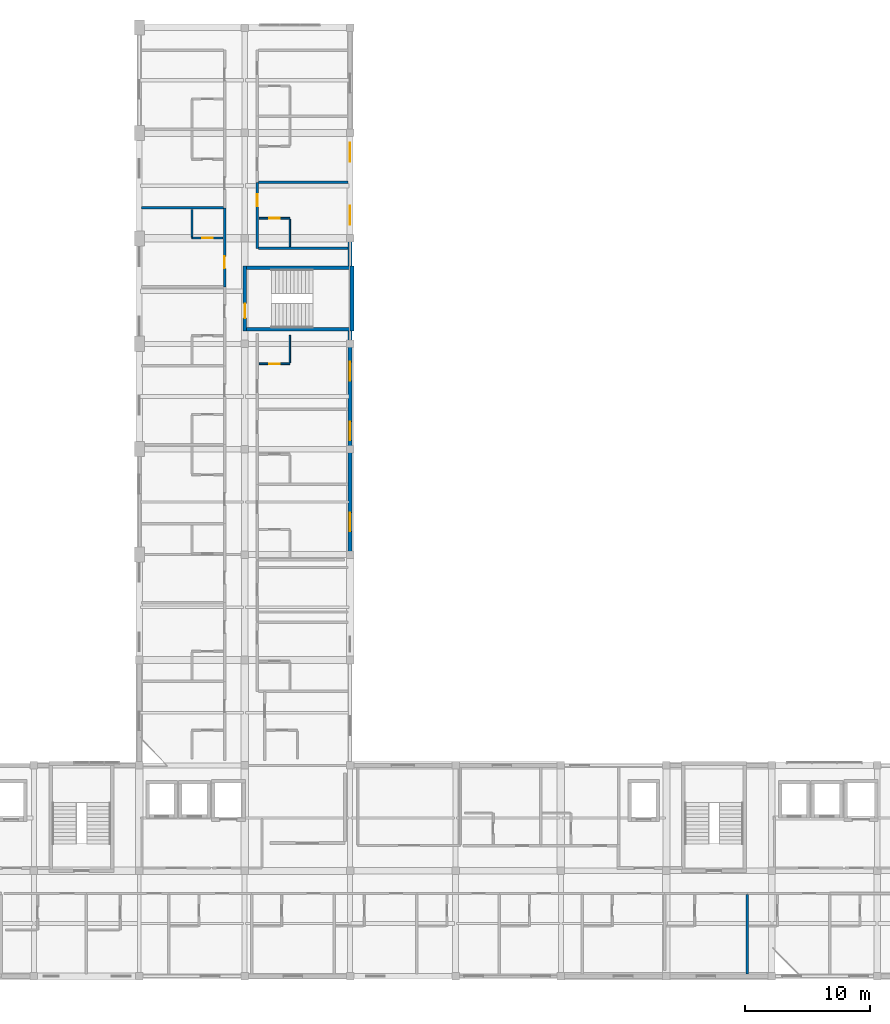
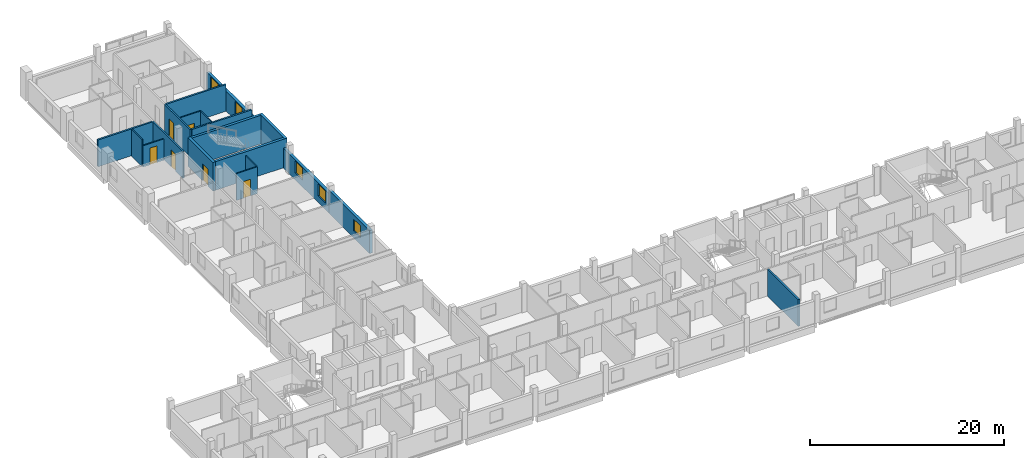
# One storey, part 16 of 24: 19 walls, 6 doors, 5 windows, 11 openings.
"""IFC4 building model written with IfcOpenShell, lengths in metres."""

from ifc_helpers import new_model, si_unit, derived_unit, direction, frame, frame_2d, origin, place, context, subcontext, project, spatial, rectangle, extrude, material, layer, layer_set, type_object, element, fill, save


model = new_model("IFC4")

# Units and contexts
model_context = context("Model", 3, precision=1e-05, world=origin(), true_north=direction((0.0, 1.0)))
body_context = subcontext(model_context, "Body", "Model", "MODEL_VIEW")
ifc_project = project(units=[si_unit("LENGTHUNIT", "METRE"), si_unit("AREAUNIT", "SQUARE_METRE"), si_unit("VOLUMEUNIT", "CUBIC_METRE"), si_unit("PLANEANGLEUNIT", "RADIAN"), si_unit("MASSUNIT", "GRAM", prefix="KILO"), derived_unit("THERMALTRANSMITTANCEUNIT", [(si_unit("POWERUNIT", "WATT"), 1), (si_unit("LENGTHUNIT", "METRE"), -2), (si_unit("THERMODYNAMICTEMPERATUREUNIT", "KELVIN"), -1)])], contexts=[model_context])

# Site, building, storey
site_placement = place(None, origin())
site = spatial("IfcSite", under=ifc_project, at=site_placement, CompositionType="ELEMENT")
building_placement = place(site_placement, origin())
building = spatial("IfcBuilding", under=site, at=building_placement, Name="Barrovel Congress Hotel", CompositionType="ELEMENT")
storey_placement = place(building_placement, frame((0.0, 0.0, 29.10009765625)))
storey = spatial("IfcBuildingStorey", under=building, at=storey_placement, Name="L07", CompositionType="ELEMENT", Elevation=29.10009765625)

# Wall, openings, windows
ifc_material_1 = material(Name="Fired Clay Brick Masonry", Category="masonry")
ifc_layer_1 = layer(ifc_material_1, 0.340087890625)
ifc_layer_set_1 = layer_set([ifc_layer_1], Name="Fired Clay Brick Masonry")
wall_type_1 = type_object("IfcWallType", Name="EW-BRK340", PredefinedType="STANDARD", material=ifc_layer_set_1)
wall_1_placement = place(storey_placement, frame((50.39990234375, 60.800048828125, 0.0), z_axis=(0.0, 0.0, 1.0), x_axis=(0.0, 1.0, 0.0)))
wall_1 = element("IfcWall", 1, at=wall_1_placement, inside=storey, type_object=wall_type_1, Name="EW:L07:HW-E-2", PredefinedType="STANDARD", context=body_context, shape_type="SweptSolid", body=[
    extrude(rectangle(XDim=10.599853515625, YDim=0.340087890625, at=frame_2d((5.2998046875, 0.0))), origin(), (0.0, 0.0, 1.0), 2.47998046875),
])
opening_1_placement = place(wall_1_placement, frame((3.283203125, 0.0, 0.85009765625)))
opening_1 = element("IfcOpeningElement", 2, at=opening_1_placement, cuts=wall_1, Name="Opening WN-07", PredefinedType="OPENING", context=body_context, shape_type="SweptSolid", body=[
    extrude(rectangle(XDim=1.5, YDim=1.5, at=frame_2d((0.75, 0.75))), frame((0.0, 0.18017578125, 0.0), z_axis=(0.0, -1.0, 0.0), x_axis=(1.0, 0.0, 0.0)), (0.0, 0.0, 1.0), 0.360107421875),
])
opening_2_placement = place(wall_1_placement, frame((8.300048828125, 0.0, 0.85009765625)))
opening_2 = element("IfcOpeningElement", 3, at=opening_2_placement, cuts=wall_1, Name="Opening WN-07", PredefinedType="OPENING", context=body_context, shape_type="SweptSolid", body=[
    extrude(rectangle(XDim=1.5, YDim=1.5, at=frame_2d((0.75, 0.75))), frame((0.0, 0.18017578125, 0.0), z_axis=(0.0, -1.0, 0.0), x_axis=(1.0, 0.0, 0.0)), (0.0, 0.0, 1.0), 0.360107421875),
])
ifc_material_2 = material(Name="Double Low-E Insulated Glazing", Category="glass")
window_type = type_object("IfcWindowType", Name="WIN-WN-07", PartitioningType="SINGLE_PANEL", PredefinedType="WINDOW", material=ifc_material_2)
window_1_placement = place(opening_1_placement, origin())
window_1 = element("IfcWindow", 4, at=window_1_placement, inside=storey, type_object=window_type, Name="WIN:L07:U42", OverallHeight=1.5, OverallWidth=1.5, PartitioningType="SINGLE_PANEL", PredefinedType="WINDOW", context=body_context, shape_type="SweptSolid", body=[
    extrude(rectangle(XDim=1.5, YDim=1.5, at=frame_2d((0.75, 0.75))), frame((0.0, 0.030029296875, 0.0), z_axis=(0.0, -1.0, 0.0), x_axis=(1.0, 0.0, 0.0)), (0.0, 0.0, 1.0), 0.06005859375),
])
fill(opening_1, window_1)
window_2_placement = place(opening_2_placement, origin())
window_2 = element("IfcWindow", 5, at=window_2_placement, inside=storey, type_object=window_type, Name="WIN:L07:U43", OverallHeight=1.5, OverallWidth=1.5, PartitioningType="SINGLE_PANEL", PredefinedType="WINDOW", context=body_context, shape_type="SweptSolid", body=[
    extrude(rectangle(XDim=1.5, YDim=1.5, at=frame_2d((0.75, 0.75))), frame((0.0, 0.030029296875, 0.0), z_axis=(0.0, -1.0, 0.0), x_axis=(1.0, 0.0, 0.0)), (0.0, 0.0, 1.0), 0.06005859375),
])
fill(opening_2, window_2)

# Wall, opening, window
wall_2_placement = place(storey_placement, frame((50.39990234375, 37.800048828125, 0.0), z_axis=(0.0, 0.0, 1.0), x_axis=(0.0, 1.0, 0.0)))
wall_2 = element("IfcWall", 6, at=wall_2_placement, inside=storey, type_object=wall_type_1, Name="EW:L07:HW-E-1:P02", PredefinedType="STANDARD", context=body_context, shape_type="SweptSolid", body=[
    extrude(rectangle(XDim=8.39990234375, YDim=0.340087890625, at=frame_2d((4.199951171875, 0.0))), origin(), (0.0, 0.0, 1.0), 2.8798828125),
])
opening_3_placement = place(wall_2_placement, frame((1.85009765625, 0.0, 0.85009765625)))
opening_3 = element("IfcOpeningElement", 7, at=opening_3_placement, cuts=wall_2, Name="Opening WN-07", PredefinedType="OPENING", context=body_context, shape_type="SweptSolid", body=[
    extrude(rectangle(XDim=1.5, YDim=1.5, at=frame_2d((0.75, 0.75))), frame((0.0, 0.18017578125, 0.0), z_axis=(0.0, -1.0, 0.0), x_axis=(1.0, 0.0, 0.0)), (0.0, 0.0, 1.0), 0.360107421875),
])
window_3_placement = place(opening_3_placement, origin())
window_3 = element("IfcWindow", 8, at=window_3_placement, inside=storey, type_object=window_type, Name="WIN:L07:U39", OverallHeight=1.5, OverallWidth=1.5, PartitioningType="SINGLE_PANEL", PredefinedType="WINDOW", context=body_context, shape_type="SweptSolid", body=[
    extrude(rectangle(XDim=1.5, YDim=1.5, at=frame_2d((0.75, 0.75))), frame((0.0, 0.030029296875, 0.0), z_axis=(0.0, -1.0, 0.0), x_axis=(1.0, 0.0, 0.0)), (0.0, 0.0, 1.0), 0.06005859375),
])
fill(opening_3, window_3)

# Wall, openings, windows
wall_3_placement = place(storey_placement, frame((50.39990234375, 46.199951171875, 0.0), z_axis=(0.0, 0.0, 1.0), x_axis=(0.0, 1.0, 0.0)))
wall_3 = element("IfcWall", 9, at=wall_3_placement, inside=storey, type_object=wall_type_1, Name="EW:L07:HW-E-1:P03", PredefinedType="STANDARD", context=body_context, shape_type="SweptSolid", body=[
    extrude(rectangle(XDim=9.400146484375, YDim=0.340087890625, at=frame_2d((4.7001953125, 0.0))), origin(), (0.0, 0.0, 1.0), 2.47998046875),
])
opening_4_placement = place(wall_3_placement, frame((0.699951171875, 0.0, 0.85009765625)))
opening_4 = element("IfcOpeningElement", 10, at=opening_4_placement, cuts=wall_3, Name="Opening WN-07", PredefinedType="OPENING", context=body_context, shape_type="SweptSolid", body=[
    extrude(rectangle(XDim=1.5, YDim=1.5, at=frame_2d((0.75, 0.75))), frame((0.0, 0.18017578125, 0.0), z_axis=(0.0, -1.0, 0.0), x_axis=(1.0, 0.0, 0.0)), (0.0, 0.0, 1.0), 0.360107421875),
])
opening_5_placement = place(wall_3_placement, frame((5.449951171875, 0.0, 0.85009765625)))
opening_5 = element("IfcOpeningElement", 11, at=opening_5_placement, cuts=wall_3, Name="Opening WN-07", PredefinedType="OPENING", context=body_context, shape_type="SweptSolid", body=[
    extrude(rectangle(XDim=1.5, YDim=1.5, at=frame_2d((0.75, 0.75))), frame((0.0, 0.18017578125, 0.0), z_axis=(0.0, -1.0, 0.0), x_axis=(1.0, 0.0, 0.0)), (0.0, 0.0, 1.0), 0.360107421875),
])
window_4_placement = place(opening_4_placement, origin())
window_4 = element("IfcWindow", 12, at=window_4_placement, inside=storey, type_object=window_type, Name="WIN:L07:U40", OverallHeight=1.5, OverallWidth=1.5, PartitioningType="SINGLE_PANEL", PredefinedType="WINDOW", context=body_context, shape_type="SweptSolid", body=[
    extrude(rectangle(XDim=1.5, YDim=1.5, at=frame_2d((0.75, 0.75))), frame((0.0, 0.030029296875, 0.0), z_axis=(0.0, -1.0, 0.0), x_axis=(1.0, 0.0, 0.0)), (0.0, 0.0, 1.0), 0.06005859375),
])
fill(opening_4, window_4)
window_5_placement = place(opening_5_placement, origin())
window_5 = element("IfcWindow", 13, at=window_5_placement, inside=storey, type_object=window_type, Name="WIN:L07:U41", OverallHeight=1.5, OverallWidth=1.5, PartitioningType="SINGLE_PANEL", PredefinedType="WINDOW", context=body_context, shape_type="SweptSolid", body=[
    extrude(rectangle(XDim=1.5, YDim=1.5, at=frame_2d((0.75, 0.75))), frame((0.0, 0.030029296875, 0.0), z_axis=(0.0, -1.0, 0.0), x_axis=(1.0, 0.0, 0.0)), (0.0, 0.0, 1.0), 0.06005859375),
])
fill(opening_5, window_5)

# Wall, opening, door
ifc_material_3 = material(Name="Gypsum Acoustic Stud", Category="gypsum")
ifc_layer_2 = layer(ifc_material_3, 0.179931640625)
ifc_layer_set_2 = layer_set([ifc_layer_2], Name="Gypsum Acoustic Stud")
wall_type_2 = type_object("IfcWallType", Name="PW-ACU-180", PredefinedType="PARTITIONING", material=ifc_layer_set_2)
wall_4_placement = place(storey_placement, frame((40.39990234375, 59.13330078125, 0.0), z_axis=(0.0, 0.0, 1.0), x_axis=(0.0, 1.0, 0.0)))
wall_4 = element("IfcWall", 14, at=wall_4_placement, inside=storey, type_object=wall_type_2, Name="PW:L07:U34:COR", PredefinedType="PARTITIONING", context=body_context, shape_type="SweptSolid", body=[
    extrude(rectangle(XDim=6.288818359375, YDim=0.179931640625, at=frame_2d((3.14453125, 0.0))), origin(), (0.0, 0.0, 1.0), 3.375),
])
opening_6_placement = place(wall_4_placement, frame((1.4794921875, 0.0, 0.0)))
opening_6 = element("IfcOpeningElement", 15, at=opening_6_placement, cuts=wall_4, Name="Opening ID-HTL", PredefinedType="OPENING", context=body_context, shape_type="SweptSolid", body=[
    extrude(rectangle(XDim=0.9599609375, YDim=2.14990234375, at=frame_2d((0.47998046875, 1.074951171875))), frame((0.0, 0.10009765625, 0.0), z_axis=(0.0, -1.0, 0.0), x_axis=(1.0, 0.0, 0.0)), (0.0, 0.0, 1.0), 0.199951171875),
])
ifc_material_4 = material(Name="Solid Oak Acoustic Timber Door", Category="wood")
door_type_1 = type_object("IfcDoorType", Name="IDR-ID-HTL", OperationType="NOTDEFINED", PredefinedType="DOOR", material=ifc_material_4)
door_1_placement = place(opening_6_placement, origin())
door_1 = element("IfcDoor", 16, at=door_1_placement, inside=storey, type_object=door_type_1, Name="DR:L07:U34:ENT", OperationType="SINGLE_SWING_RIGHT", OverallHeight=2.14990234375, OverallWidth=0.9599609375, PredefinedType="DOOR", context=body_context, shape_type="SweptSolid", body=[
    extrude(rectangle(XDim=0.9599609375, YDim=2.14990234375, at=frame_2d((0.47998046875, 1.074951171875))), frame((0.0, 0.02490234375, 0.0), z_axis=(0.0, -1.0, 0.0), x_axis=(1.0, 0.0, 0.0)), (0.0, 0.0, 1.0), 0.050048828125),
])
fill(opening_6, door_1)

wall_5_placement = place(storey_placement, frame((43.0, 62.199951171875, 0.0), z_axis=(0.0, 0.0, 1.0), x_axis=(0.0, 1.0, 0.0)))
wall_5 = element("IfcWall", 17, at=wall_5_placement, inside=storey, type_object=wall_type_2, Name="PW:L07:U42:COR", PredefinedType="PARTITIONING", context=body_context, shape_type="SweptSolid", body=[
    extrude(rectangle(XDim=5.266845703125, YDim=0.179931640625, at=frame_2d((2.63330078125, 0.0))), origin(), (0.0, 0.0, 1.0), 3.375),
])
opening_7_placement = place(wall_5_placement, frame((3.33837890625, 0.0, 0.0)))
opening_7 = element("IfcOpeningElement", 18, at=opening_7_placement, cuts=wall_5, Name="Opening ID-HTL", PredefinedType="OPENING", context=body_context, shape_type="SweptSolid", body=[
    extrude(rectangle(XDim=0.9599609375, YDim=2.14990234375, at=frame_2d((0.47998046875, 1.074951171875))), frame((0.0, 0.10009765625, 0.0), z_axis=(0.0, -1.0, 0.0), x_axis=(1.0, 0.0, 0.0)), (0.0, 0.0, 1.0), 0.199951171875),
])
door_2_placement = place(opening_7_placement, origin())
door_2 = element("IfcDoor", 19, at=door_2_placement, inside=storey, type_object=door_type_1, Name="DR:L07:U42:ENT", OperationType="SINGLE_SWING_RIGHT", OverallHeight=2.14990234375, OverallWidth=0.9599609375, PredefinedType="DOOR", context=body_context, shape_type="SweptSolid", body=[
    extrude(rectangle(XDim=0.9599609375, YDim=2.14990234375, at=frame_2d((0.47998046875, 1.074951171875))), frame((0.0, 0.02490234375, 0.0), z_axis=(0.0, -1.0, 0.0), x_axis=(1.0, 0.0, 0.0)), (0.0, 0.0, 1.0), 0.050048828125),
])
fill(opening_7, door_2)

# Walls
ifc_layer_3 = layer(ifc_material_3, 0.1201171875)
ifc_layer_set_3 = layer_set([ifc_layer_3], Name="Gypsum Acoustic Stud")
wall_type_3 = type_object("IfcWallType", Name="PW-INT-120", PredefinedType="PARTITIONING", material=ifc_layer_set_3)
for number, where, z_axis, x_axis, name in (
    (20, (37.800048828125, 63.09228515625, 0.0), (0.0, 0.0, 1.0), (0.0, 1.0, 0.0), "PW:L07:U34:B2"),
    (21, (45.60009765625, 53.070068359375, 0.0), (0.0, 0.0, 1.0), (0.0, 1.0, 0.0), "PW:L07:U41:B2"),
    (22, (45.60009765625, 62.340087890625, 0.0), (0.0, 0.0, 1.0), (0.0, 1.0, 0.0), "PW:L07:U42:B2"),
):
    element("IfcWall", number, at=place(storey_placement, frame(where, z_axis=z_axis, x_axis=x_axis)), inside=storey, type_object=wall_type_3, Name=name, PredefinedType="PARTITIONING", context=body_context, shape_type="SweptSolid", body=[
        extrude(rectangle(XDim=2.18994140625, YDim=0.1201171875, at=frame_2d((1.094970703125, 0.0))), origin(), (0.0, 0.0, 1.0), 3.375),
    ])
ifc_layer_4 = layer(ifc_material_1, 0.199951171875)
ifc_layer_set_4 = layer_set([ifc_layer_4], Name="Fired Clay Brick Masonry")
wall_type_4 = type_object("IfcWallType", Name="PW-MAS-200", PredefinedType="PARTITIONING", material=ifc_layer_set_4)
wall_6_placement = place(storey_placement, frame((82.050048828125, 4.3701171875, 0.0), z_axis=(0.0, 0.0, 1.0), x_axis=(0.0, 1.0, 0.0)))
element("IfcWall", 23, at=wall_6_placement, inside=storey, type_object=wall_type_4, Name="PW:L07:U10:DEM", PredefinedType="PARTITIONING", context=body_context, shape_type="SweptSolid", body=[
    extrude(rectangle(XDim=6.33984375, YDim=0.199951171875, at=frame_2d((3.169921875, 0.0))), origin(), (0.0, 0.0, 1.0), 3.375),
])
wall_7_placement = place(storey_placement, frame((33.77001953125, 65.422119140625, 0.0), z_axis=(0.0, 0.0, 1.0), x_axis=(1.0, 0.0, 0.0)))
element("IfcWall", 24, at=wall_7_placement, inside=storey, type_object=wall_type_4, Name="PW:L07:U34:DEM", PredefinedType="PARTITIONING", context=body_context, shape_type="SweptSolid", body=[
    extrude(rectangle(XDim=6.5400390625, YDim=0.199951171875, at=frame_2d((3.27001953125, 0.0))), origin(), (0.0, 0.0, 1.0), 3.375),
])
for number, where, z_axis, x_axis, name in (
    (25, (43.090087890625, 62.199951171875, 0.0), (0.0, 0.0, 1.0), (1.0, 0.0, 0.0), "PW:L07:U42:DEM0"),
    (26, (43.090087890625, 67.466796875, 0.0), (0.0, 0.0, 1.0), (1.0, 0.0, 0.0), "PW:L07:U42:DEM"),
):
    element("IfcWall", number, at=place(storey_placement, frame(where, z_axis=z_axis, x_axis=x_axis)), inside=storey, type_object=wall_type_4, Name=name, PredefinedType="PARTITIONING", context=body_context, shape_type="SweptSolid", body=[
        extrude(rectangle(XDim=7.139892578125, YDim=0.199951171875, at=frame_2d((3.56982421875, 0.0))), origin(), (0.0, 0.0, 1.0), 3.375),
    ])

# Wall, opening, door
ifc_material_5 = material(Name="Gypsum Moisture Board", Category="gypsum")
ifc_layer_5 = layer(ifc_material_5, 0.139892578125)
ifc_layer_set_5 = layer_set([ifc_layer_5], Name="Gypsum Moisture Board")
wall_type_5 = type_object("IfcWallType", Name="PW-WET-140", PredefinedType="PARTITIONING", material=ifc_layer_set_5)
wall_8_placement = place(storey_placement, frame((37.800048828125, 63.022216796875, 0.0), z_axis=(0.0, 0.0, 1.0), x_axis=(1.0, 0.0, 0.0)))
wall_8 = element("IfcWall", 27, at=wall_8_placement, inside=storey, type_object=wall_type_5, Name="PW:L07:U34:B1", PredefinedType="PARTITIONING", context=body_context, shape_type="SweptSolid", body=[
    extrude(rectangle(XDim=2.4599609375, YDim=0.139892578125, at=frame_2d((1.22998046875, 0.0))), origin(), (0.0, 0.0, 1.0), 2.679931640625),
])
opening_8_placement = place(wall_8_placement, frame((0.800048828125, 0.0, 0.0)))
opening_8 = element("IfcOpeningElement", 28, at=opening_8_placement, cuts=wall_8, Name="Opening ID-ENS", PredefinedType="OPENING", context=body_context, shape_type="SweptSolid", body=[
    extrude(rectangle(XDim=0.860107421875, YDim=2.10009765625, at=frame_2d((0.43017578125, 1.050048828125))), frame((0.0, 0.080078125, 0.0), z_axis=(0.0, -1.0, 0.0), x_axis=(1.0, 0.0, 0.0)), (0.0, 0.0, 1.0), 0.159912109375),
])
ifc_material_6 = material(Name="Lacquered Timber Moisture Door", Category="wood")
door_type_2 = type_object("IfcDoorType", Name="IDR-ID-ENS", OperationType="NOTDEFINED", PredefinedType="DOOR", material=ifc_material_6)
door_3_placement = place(opening_8_placement, origin())
door_3 = element("IfcDoor", 29, at=door_3_placement, inside=storey, type_object=door_type_2, Name="DR:L07:U34:ENS", OperationType="SINGLE_SWING_LEFT", OverallHeight=2.10009765625, OverallWidth=0.860107421875, PredefinedType="DOOR", context=body_context, shape_type="SweptSolid", body=[
    extrude(rectangle(XDim=0.860107421875, YDim=2.10009765625, at=frame_2d((0.43017578125, 1.050048828125))), frame((0.0, 0.02490234375, 0.0), z_axis=(0.0, -1.0, 0.0), x_axis=(1.0, 0.0, 0.0)), (0.0, 0.0, 1.0), 0.050048828125),
])
fill(opening_8, door_3)

wall_9_placement = place(storey_placement, frame((43.139892578125, 53.0, 0.0), z_axis=(0.0, 0.0, 1.0), x_axis=(1.0, 0.0, 0.0)))
wall_9 = element("IfcWall", 30, at=wall_9_placement, inside=storey, type_object=wall_type_5, Name="PW:L07:U41:B1", PredefinedType="PARTITIONING", context=body_context, shape_type="SweptSolid", body=[
    extrude(rectangle(XDim=2.460205078125, YDim=0.139892578125, at=frame_2d((1.22998046875, 0.0))), origin(), (0.0, 0.0, 1.0), 3.375),
])
opening_9_placement = place(wall_9_placement, frame((0.800048828125, 0.0, 0.0)))
opening_9 = element("IfcOpeningElement", 31, at=opening_9_placement, cuts=wall_9, Name="Opening ID-ENS", PredefinedType="OPENING", context=body_context, shape_type="SweptSolid", body=[
    extrude(rectangle(XDim=0.860107421875, YDim=2.10009765625, at=frame_2d((0.43017578125, 1.050048828125))), frame((0.0, 0.080078125, 0.0), z_axis=(0.0, -1.0, 0.0), x_axis=(1.0, 0.0, 0.0)), (0.0, 0.0, 1.0), 0.159912109375),
])
door_4_placement = place(opening_9_placement, origin())
door_4 = element("IfcDoor", 32, at=door_4_placement, inside=storey, type_object=door_type_2, Name="DR:L07:U41:ENS", OperationType="SINGLE_SWING_LEFT", OverallHeight=2.10009765625, OverallWidth=0.860107421875, PredefinedType="DOOR", context=body_context, shape_type="SweptSolid", body=[
    extrude(rectangle(XDim=0.860107421875, YDim=2.10009765625, at=frame_2d((0.43017578125, 1.050048828125))), frame((0.0, 0.02490234375, 0.0), z_axis=(0.0, -1.0, 0.0), x_axis=(1.0, 0.0, 0.0)), (0.0, 0.0, 1.0), 0.050048828125),
])
fill(opening_9, door_4)

wall_10_placement = place(storey_placement, frame((43.139892578125, 64.60009765625, 0.0), z_axis=(0.0, 0.0, 1.0), x_axis=(1.0, 0.0, 0.0)))
wall_10 = element("IfcWall", 33, at=wall_10_placement, inside=storey, type_object=wall_type_5, Name="PW:L07:U42:B1", PredefinedType="PARTITIONING", context=body_context, shape_type="SweptSolid", body=[
    extrude(rectangle(XDim=2.460205078125, YDim=0.139892578125, at=frame_2d((1.22998046875, 0.0))), origin(), (0.0, 0.0, 1.0), 3.375),
])
opening_10_placement = place(wall_10_placement, frame((0.800048828125, 0.0, 0.0)))
opening_10 = element("IfcOpeningElement", 34, at=opening_10_placement, cuts=wall_10, Name="Opening ID-ENS", PredefinedType="OPENING", context=body_context, shape_type="SweptSolid", body=[
    extrude(rectangle(XDim=0.860107421875, YDim=2.10009765625, at=frame_2d((0.43017578125, 1.050048828125))), frame((0.0, 0.080078125, 0.0), z_axis=(0.0, -1.0, 0.0), x_axis=(1.0, 0.0, 0.0)), (0.0, 0.0, 1.0), 0.159912109375),
])
door_5_placement = place(opening_10_placement, origin())
door_5 = element("IfcDoor", 35, at=door_5_placement, inside=storey, type_object=door_type_2, Name="DR:L07:U42:ENS", OperationType="SINGLE_SWING_LEFT", OverallHeight=2.10009765625, OverallWidth=0.860107421875, PredefinedType="DOOR", context=body_context, shape_type="SweptSolid", body=[
    extrude(rectangle(XDim=0.860107421875, YDim=2.10009765625, at=frame_2d((0.43017578125, 1.050048828125))), frame((0.0, 0.02490234375, 0.0), z_axis=(0.0, -1.0, 0.0), x_axis=(1.0, 0.0, 0.0)), (0.0, 0.0, 1.0), 0.050048828125),
])
fill(opening_10, door_5)

# Walls
ifc_material_7 = material(Name="Concrete C40", Category="concrete")
ifc_layer_6 = layer(ifc_material_7, 0.300048828125)
ifc_layer_set_6 = layer_set([ifc_layer_6], Name="Concrete C40")
wall_type_6 = type_object("IfcWallType", Name="SW-C40-300", PredefinedType="SHEAR", material=ifc_layer_set_6)
wall_11_placement = place(storey_placement, frame((41.860107421875, 55.75, 0.0), z_axis=(0.0, 0.0, 1.0), x_axis=(1.0, 0.0, 0.0)))
element("IfcWall", 36, at=wall_11_placement, inside=storey, type_object=wall_type_6, Name="SHW:XS-05:L07:S", PredefinedType="SHEAR", context=body_context, shape_type="SweptSolid", body=[
    extrude(rectangle(XDim=8.83984375, YDim=0.300048828125, at=frame_2d((4.419921875, 0.0))), origin(), (0.0, 0.0, 1.0), 3.599853515625),
])
wall_12_placement = place(storey_placement, frame((50.550048828125, 55.60009765625, 0.0), z_axis=(0.0, 0.0, 1.0), x_axis=(0.0, 1.0, 0.0)))
element("IfcWall", 37, at=wall_12_placement, inside=storey, type_object=wall_type_6, Name="SHW:XS-05:L07:E", PredefinedType="SHEAR", context=body_context, shape_type="SweptSolid", body=[
    extrude(rectangle(XDim=5.199951171875, YDim=0.300048828125, at=frame_2d((2.60009765625, 0.0))), origin(), (0.0, 0.0, 1.0), 3.599853515625),
])
wall_13_placement = place(storey_placement, frame((50.699951171875, 60.64990234375, 0.0), z_axis=(0.0, 0.0, 1.0), x_axis=(-1.0, 0.0, 0.0)))
element("IfcWall", 38, at=wall_13_placement, inside=storey, type_object=wall_type_6, Name="SHW:XS-05:L07:N", PredefinedType="SHEAR", context=body_context, shape_type="SweptSolid", body=[
    extrude(rectangle(XDim=8.83984375, YDim=0.300048828125, at=frame_2d((4.419921875, 0.0))), origin(), (0.0, 0.0, 1.0), 3.599853515625),
])

# Wall, opening, door
wall_14_placement = place(storey_placement, frame((42.010009765625, 60.800048828125, 0.0), z_axis=(0.0, 0.0, 1.0), x_axis=(0.0, -1.0, 0.0)))
wall_14 = element("IfcWall", 39, at=wall_14_placement, inside=storey, type_object=wall_type_6, Name="SHW:XS-05:L07:W", PredefinedType="SHEAR", context=body_context, shape_type="SweptSolid", body=[
    extrude(rectangle(XDim=5.199951171875, YDim=0.300048828125, at=frame_2d((2.60009765625, 0.0))), origin(), (0.0, 0.0, 1.0), 3.599853515625),
])
opening_11_placement = place(wall_14_placement, frame((3.0, 0.0, 0.0)))
opening_11 = element("IfcOpeningElement", 40, at=opening_11_placement, cuts=wall_14, Name="Opening ID-ST1", PredefinedType="OPENING", context=body_context, shape_type="SweptSolid", body=[
    extrude(rectangle(XDim=1.14990234375, YDim=2.14990234375, at=frame_2d((0.574951171875, 1.074951171875))), frame((0.0, 0.16015625, 0.0), z_axis=(0.0, -1.0, 0.0), x_axis=(1.0, 0.0, 0.0)), (0.0, 0.0, 1.0), 0.320068359375),
])
ifc_material_8 = material(Name="Painted Hollow-Metal Steel Door", Category="steel")
door_type_3 = type_object("IfcDoorType", Name="IDR-ID-ST1", OperationType="NOTDEFINED", PredefinedType="DOOR", material=ifc_material_8)
door_6_placement = place(opening_11_placement, origin())
door_6 = element("IfcDoor", 41, at=door_6_placement, inside=storey, type_object=door_type_3, Name="Stair Core Fire Door XS-05-L07", OperationType="SINGLE_SWING_RIGHT", OverallHeight=2.14990234375, OverallWidth=1.14990234375, PredefinedType="DOOR", context=body_context, shape_type="SweptSolid", body=[
    extrude(rectangle(XDim=1.14990234375, YDim=2.14990234375, at=frame_2d((0.574951171875, 1.074951171875))), frame((0.0, 0.02490234375, 0.0), z_axis=(0.0, -1.0, 0.0), x_axis=(1.0, 0.0, 0.0)), (0.0, 0.0, 1.0), 0.050048828125),
])
fill(opening_11, door_6)

save(model, "model.ifc")
